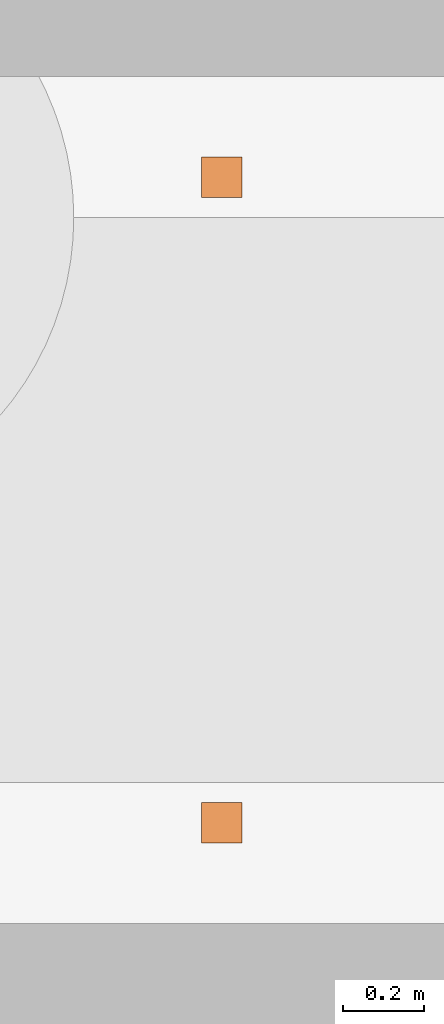
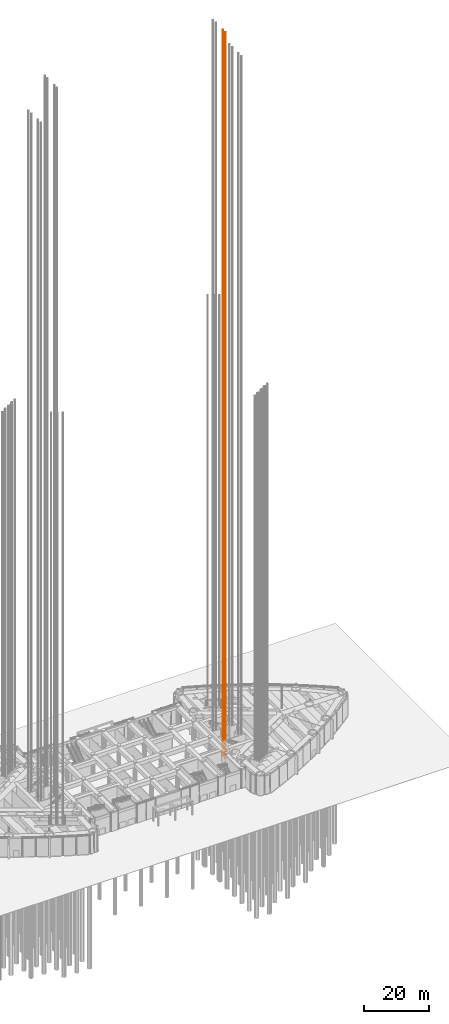
# One storey, part 38 of 43: 1 proxy.
"""IFC4 building model written with IfcOpenShell, lengths in metres."""

import ifcopenshell
import ifcopenshell.guid

model = None  # the IFC model being written
_history = None  # IfcOwnerHistory: only IFC2X3 demands one
_inside = {}  # id of a spatial element -> (the spatial element, [elements in it])
_under = {}  # id of a project, library or spatial element -> (it, [spatial elements below it])
_declared = {}  # id of a project -> (the project, [libraries it declares])
_typed = {}  # id of a type object -> (the type object, [elements of that type])
_made_of = {}  # id of a material, layer set ... -> (it, [elements and type objects made of it])


def new_model(schema):
    """Start an empty IFC model of exactly this schema.

    Asked for "IFC4X3", IfcOpenShell would pick the latest addendum, in which some entities
    have other attributes; the version numbers below select the first issue.
    IFC2X3 requires an IfcOwnerHistory on every rooted entity: one is made here for all.
    """
    global model, _history
    if schema == "IFC4X3":
        model = ifcopenshell.file(schema_version=(4, 3, 0, 0))
    else:
        model = ifcopenshell.file(schema=schema)
    _inside.clear()
    _under.clear()
    _declared.clear()
    _typed.clear()
    _made_of.clear()
    _history = None
    if model.schema == "IFC2X3":
        org = make("IfcOrganization", Name="unknown")
        user = make(
            "IfcPersonAndOrganization",
            ThePerson=make("IfcPerson", FamilyName="unknown"),
            TheOrganization=org,
        )
        app = make(
            "IfcApplication",
            ApplicationDeveloper=org,
            Version="unknown",
            ApplicationFullName="unknown",
            ApplicationIdentifier="unknown",
        )
        _history = make(
            "IfcOwnerHistory",
            OwningUser=user,
            OwningApplication=app,
            ChangeAction="ADDED",
            CreationDate=0,
        )
    return model


def make(cls, **values):
    """One entity of the class cls with the attributes given. An attribute that is None is left unset."""
    return model.create_entity(
        cls, **{name: value for name, value in values.items() if value is not None}
    )


def rooted(cls, **values):
    """An entity with a GlobalId (a new one), such as an element, a storey or a relation."""
    return make(cls, GlobalId=ifcopenshell.guid.new(), OwnerHistory=_history, **values)


def si_unit(unit_type, name, prefix=None):
    """IfcSIUnit, for example si_unit("LENGTHUNIT", "METRE", prefix="MILLI")."""
    return make("IfcSIUnit", UnitType=unit_type, Prefix=prefix, Name=name)


def assignment(units):
    """IfcUnitAssignment: the units of a project."""
    return None if units is None else make("IfcUnitAssignment", Units=units)


def point(xyz):
    """IfcCartesianPoint."""
    return None if xyz is None else make("IfcCartesianPoint", Coordinates=xyz)


def direction(xyz):
    """IfcDirection."""
    return None if xyz is None else make("IfcDirection", DirectionRatios=xyz)


def frame(location, z_axis=None, x_axis=None):
    """IfcAxis2Placement3D, a coordinate frame: its origin and axes. An axis left out is left unset."""
    return make(
        "IfcAxis2Placement3D",
        Location=point(location),
        Axis=direction(z_axis),
        RefDirection=direction(x_axis),
    )


def frame_2d(location, x_axis=None):
    """IfcAxis2Placement2D, a coordinate frame in the plane: its origin and x axis."""
    return make(
        "IfcAxis2Placement2D", Location=point(location), RefDirection=direction(x_axis)
    )


def origin():
    """The frame at (0, 0, 0) with its axes left unset."""
    return frame((0.0, 0.0, 0.0))


def origin_2d():
    """The frame at (0, 0) in the plane with its x axis left unset."""
    return frame_2d((0.0, 0.0))


def place(relative_to, where):
    """IfcLocalPlacement: puts the frame where relative to a parent placement (None: the world)."""
    return make(
        "IfcLocalPlacement", PlacementRelTo=relative_to, RelativePlacement=where
    )


def context(
    kind, dimensions, precision=None, world=None, true_north=None, identifier=None
):
    """IfcGeometricRepresentationContext, for example the 3D "Model" context."""
    return make(
        "IfcGeometricRepresentationContext",
        ContextIdentifier=identifier,
        ContextType=kind,
        CoordinateSpaceDimension=dimensions,
        Precision=precision,
        WorldCoordinateSystem=world,
        TrueNorth=true_north,
    )


def subcontext(parent, identifier, kind, view, scale=None):
    """IfcGeometricRepresentationSubContext, for example "Body" below "Model"."""
    return make(
        "IfcGeometricRepresentationSubContext",
        ContextIdentifier=identifier,
        ContextType=kind,
        ParentContext=parent,
        TargetScale=scale,
        TargetView=view,
    )


def project(units=None, contexts=None):
    """IfcProject with its units and contexts."""
    return rooted(
        "IfcProject",
        Name="project",
        RepresentationContexts=contexts,
        UnitsInContext=assignment(units),
    )


def spatial(cls, under=None, at=None, **own):
    """A site, building, storey or space (cls), placed at a placement, below another one or the project."""
    s = rooted(cls, ObjectPlacement=at, **own)
    if under is not None:
        _under.setdefault(under.id(), (under, []))[1].append(s)
    return s


def profile(cls, at=None, kind="AREA", **sizes):
    """A parametric profile (cls). Its sizes go by their IFC names, for example OverallWidth=200.0."""
    return make(cls, ProfileType=kind, Position=at, **sizes)


def rectangle(**sizes):
    """IfcRectangleProfileDef."""
    return profile("IfcRectangleProfileDef", **sizes)


def extrude(swept, where, along, depth):
    """IfcExtrudedAreaSolid: the profile swept, set in the frame where, extruded along a direction by depth."""
    return make(
        "IfcExtrudedAreaSolid",
        SweptArea=swept,
        Position=where,
        ExtrudedDirection=direction(along),
        Depth=depth,
    )


def shape(context_of_items, identifier, shape_type, items):
    """IfcShapeRepresentation: the items that make up one representation, for example the "Body"."""
    return make(
        "IfcShapeRepresentation",
        ContextOfItems=context_of_items,
        RepresentationIdentifier=identifier,
        RepresentationType=shape_type,
        Items=items,
    )


def material(Name=None, Category=None):
    """IfcMaterial."""
    return make("IfcMaterial", Name=Name, Category=Category)


def made_of(thing, what):
    """Note that an element or type object is made of a material, layer set ...; save() writes the relation."""
    if what is not None:
        _made_of.setdefault(what.id(), (what, []))[1].append(thing)
    return thing


def type_object(cls, material=None, **own):
    """A type object (cls), such as IfcWallType, which elements share."""
    return made_of(rooted(cls, **own), material)


def element(
    cls,
    number,
    at=None,
    inside=None,
    cuts=None,
    type_object=None,
    material=None,
    context=None,
    identifier="Body",
    shape_type=None,
    held_by="IfcProductDefinitionShape",
    body=None,
    shapes=None,
    **own,
):
    """One element of the class cls, such as IfcWall. Its Tag is "e" and its number.

    at: its placement. inside: the storey or other place that contains it. cuts: it is an
    opening in that element (IfcRelVoidsElement). A single representation is given by context,
    identifier, shape_type and body (its items); several are given by shapes. held_by: the class
    of the entity that holds the representations. save() writes the other relations.
    """
    e = rooted(cls, Tag="e%d" % number, ObjectPlacement=at, **own)
    if body is not None:
        shapes = [shape(context, identifier, shape_type, body)]
    if shapes is not None:
        e.Representation = make(held_by, Representations=shapes)
    if inside is not None:
        _inside.setdefault(inside.id(), (inside, []))[1].append(e)
    if cuts is not None:
        rooted(
            "IfcRelVoidsElement", RelatingBuildingElement=cuts, RelatedOpeningElement=e
        )
    if type_object is not None:
        _typed.setdefault(type_object.id(), (type_object, []))[1].append(e)
    return made_of(e, material)


def aggregate(whole, parts):
    """IfcRelAggregates: a whole, such as a stair, and the parts it consists of."""
    return rooted("IfcRelAggregates", RelatingObject=whole, RelatedObjects=parts)


def save(model, path):
    """Write the relations noted so far, then the file.

    IfcRelAggregates (storeys below a building ...), IfcRelContainedInSpatialStructure (elements
    in a storey), IfcRelDefinesByType, IfcRelAssociatesMaterial and IfcRelDeclares: one each for
    every whole, place, type object, material and project.
    """
    for whole, parts in _under.values():
        aggregate(whole, parts)
    for where, things in _inside.values():
        rooted(
            "IfcRelContainedInSpatialStructure",
            RelatedElements=things,
            RelatingStructure=where,
        )
    for kind, things in _typed.values():
        rooted("IfcRelDefinesByType", RelatedObjects=things, RelatingType=kind)
    for what, things in _made_of.values():
        rooted("IfcRelAssociatesMaterial", RelatedObjects=things, RelatingMaterial=what)
    for by, libraries in _declared.values():
        rooted("IfcRelDeclares", RelatingContext=by, RelatedDefinitions=libraries)
    model.write(path)


model = new_model("IFC4")

# Units and contexts
model_context = context("Model", 3, precision=1e-05, world=origin(), true_north=direction((0.0, 1.0)))
body_context = subcontext(model_context, "Body", "Model", "MODEL_VIEW")
ifc_project = project(units=[si_unit("LENGTHUNIT", "METRE"), si_unit("AREAUNIT", "SQUARE_METRE"), si_unit("VOLUMEUNIT", "CUBIC_METRE"), si_unit("PLANEANGLEUNIT", "RADIAN"), si_unit("MASSUNIT", "GRAM", prefix="KILO")], contexts=[model_context])

# Site, building, storey
site_placement = place(None, origin())
site = spatial("IfcSite", under=ifc_project, at=site_placement, CompositionType="ELEMENT")
building_placement = place(site_placement, origin())
building = spatial("IfcBuilding", under=site, at=building_placement, Name="Lancet Gate Hotel", CompositionType="ELEMENT")
storey_placement = place(building_placement, origin())
storey = spatial("IfcBuildingStorey", under=building, at=storey_placement, Name="L00", CompositionType="ELEMENT", Elevation=0.0)

# Proxy
ifc_material = material(Name="Steel S355", Category="steel")
building_element_proxy_type = type_object("IfcBuildingElementProxyType", Name="Lift guide rails", PredefinedType="USERDEFINED", material=ifc_material)
proxy_placement = place(storey_placement, frame((29.75, -2.949951171875, 0.0), z_axis=(0.0, 0.0, 1.0), x_axis=(1.0, 0.0, 0.0)))
element("IfcBuildingElementProxy", 1, at=proxy_placement, inside=storey, type_object=building_element_proxy_type, Name="T2-SL1 guide rails", ObjectType="LIFT GUIDE RAILS", PredefinedType="USERDEFINED", context=body_context, shape_type="SweptSolid", body=[
    extrude(rectangle(XDim=0.1, YDim=0.1, at=origin_2d()), frame((0.0, -0.800048828125, 0.0)), (0.0, 0.0, 1.0), 271.300048828125),
    extrude(rectangle(XDim=0.1, YDim=0.1, at=origin_2d()), frame((0.0, 0.800048828125, 0.0)), (0.0, 0.0, 1.0), 271.300048828125),
])

save(model, "model.ifc")
